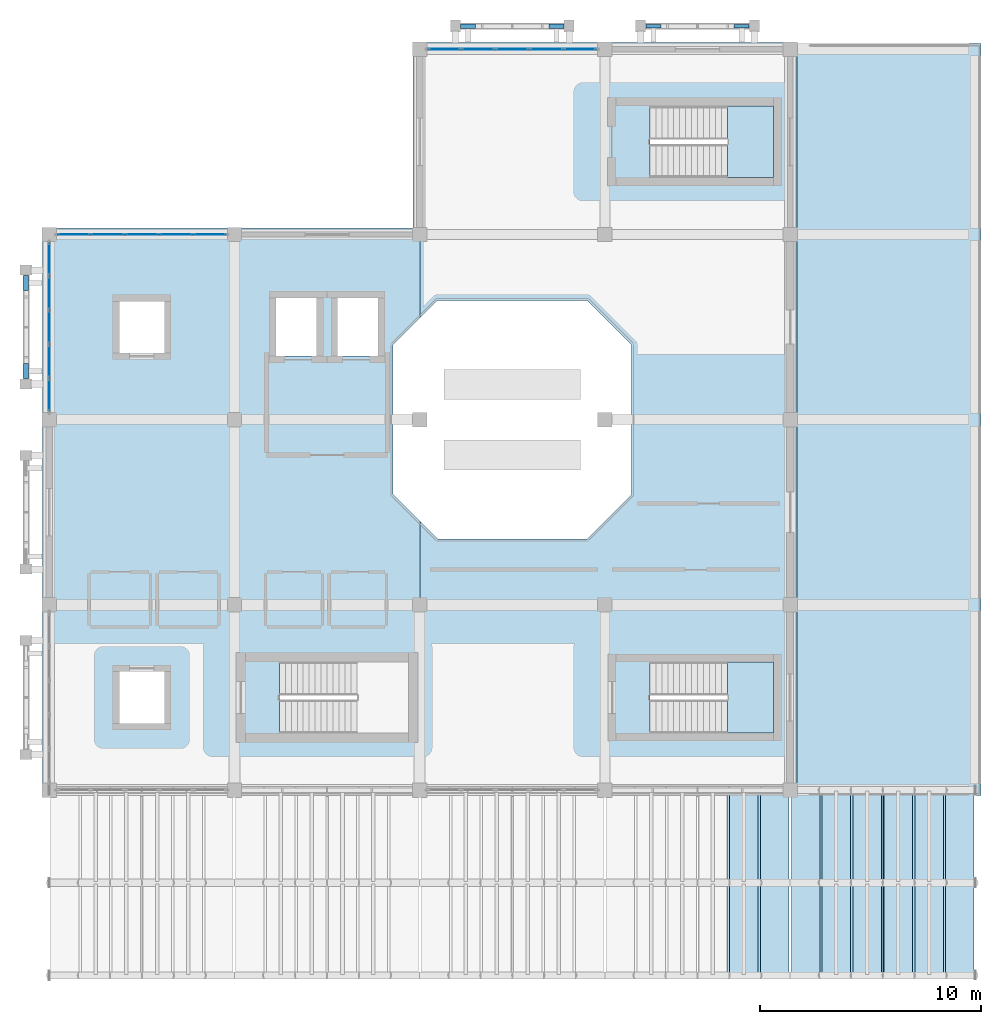
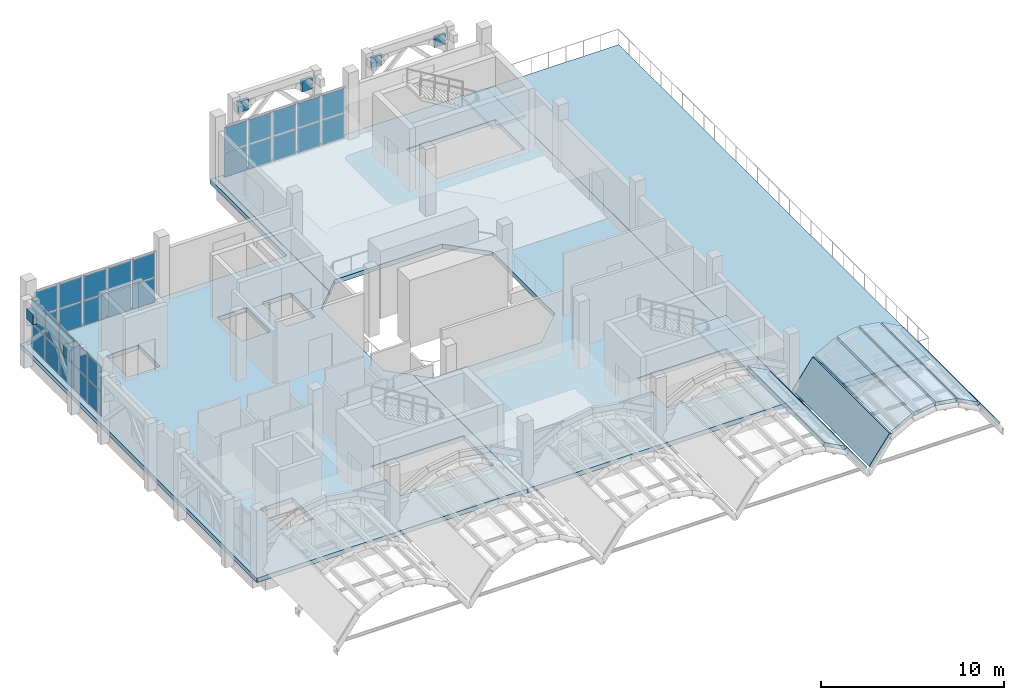
# One storey, part 13 of 22: 36 plates, 13 slabs, 5 elements without a shape of their own.
"""IFC4 building model written with IfcOpenShell, lengths in metres."""

from ifc_helpers import new_model, si_unit, direction, frame, origin, origin_2d, place, context, subcontext, project, spatial, polyline, rectangle, outline, extrude, material, layer, layer_set, type_object, element, aggregate, save


model = new_model("IFC4")

# Units and contexts
model_context = context("Model", 3, precision=1e-05, world=origin(), true_north=direction((0.0, 1.0)))
body_context = subcontext(model_context, "Body", "Model", "MODEL_VIEW")
ifc_project = project(units=[si_unit("LENGTHUNIT", "METRE"), si_unit("AREAUNIT", "SQUARE_METRE"), si_unit("VOLUMEUNIT", "CUBIC_METRE"), si_unit("PLANEANGLEUNIT", "RADIAN"), si_unit("MASSUNIT", "GRAM", prefix="KILO")], contexts=[model_context])

# Site, building, storey
site_placement = place(None, origin())
site = spatial("IfcSite", under=ifc_project, at=site_placement, CompositionType="ELEMENT")
building_placement = place(site_placement, origin())
building = spatial("IfcBuilding", under=site, at=building_placement, Name="Xazarin Passage Department Store", CompositionType="ELEMENT")
storey_placement = place(building_placement, frame((0.0, 0.0, 27.89990234375)))
storey = spatial("IfcBuildingStorey", under=building, at=storey_placement, Name="L06", CompositionType="ELEMENT", Elevation=27.89990234375)

# Curtain wall, plates
ifc_material_1 = material(Name="Bronze anodised aluminium", Category="aluminium")
ifc_layer_1 = layer(ifc_material_1, 0.199951171875)
ifc_layer_set_1 = layer_set([ifc_layer_1], Name="Bronze anodised aluminium")
curtain_wall_type = type_object("IfcCurtainWallType", Name="ARC-CW-VIT2", PredefinedType="NOTDEFINED", material=ifc_layer_set_1)
curtain_wall_1_placement = place(storey_placement, origin())
curtain_wall_1 = element("IfcCurtainWall", 1, at=curtain_wall_1_placement, inside=storey, type_object=curtain_wall_type, Name="L06 V1 Curtain Wall 087", PredefinedType="NOTDEFINED")
ifc_material_2 = material(Name="Low-E laminated safety glass", Category="glass")
ifc_layer_2 = layer(ifc_material_2, 0.031982421875)
ifc_layer_set_2 = layer_set([ifc_layer_2], Name="Low-E laminated safety glass")
plate_type_1 = type_object("IfcPlateType", Name="ARC-CWP-GLZ32", PredefinedType="CURTAIN_PANEL", material=ifc_layer_set_2)
plate_1_placement = place(storey_placement, frame((1.11865234375, 101.60009765625, 0.0751953125), z_axis=(0.0, 0.0, 1.0), x_axis=(1.0, 0.0, 0.0)))
plate_1 = element("IfcPlate", 2, at=plate_1_placement, type_object=plate_type_1, Name="CW2 panel 1.1", PredefinedType="CURTAIN_PANEL", context=body_context, shape_type="SweptSolid", body=[
    extrude(rectangle(XDim=1.4375, YDim=0.031982421875, at=origin_2d()), origin(), (0.0, 0.0, 1.0), 1.612548828125),
])
plate_2_placement = place(storey_placement, frame((1.11865234375, 101.60009765625, 1.7626953125), z_axis=(0.0, 0.0, 1.0), x_axis=(1.0, 0.0, 0.0)))
plate_2 = element("IfcPlate", 3, at=plate_2_placement, type_object=plate_type_1, Name="CW2 panel 1.2", PredefinedType="CURTAIN_PANEL", context=body_context, shape_type="SweptSolid", body=[
    extrude(rectangle(XDim=1.4375, YDim=0.031982421875, at=origin_2d()), origin(), (0.0, 0.0, 1.0), 1.612548828125),
])
plate_3_placement = place(storey_placement, frame((2.64990234375, 101.60009765625, 0.0751953125), z_axis=(0.0, 0.0, 1.0), x_axis=(1.0, 0.0, 0.0)))
plate_3 = element("IfcPlate", 4, at=plate_3_placement, type_object=plate_type_1, Name="CW2 panel 2.1", PredefinedType="CURTAIN_PANEL", context=body_context, shape_type="SweptSolid", body=[
    extrude(rectangle(XDim=1.47509765625, YDim=0.031982421875, at=origin_2d()), origin(), (0.0, 0.0, 1.0), 1.612548828125),
])
plate_4_placement = place(storey_placement, frame((2.64990234375, 101.60009765625, 1.7626953125), z_axis=(0.0, 0.0, 1.0), x_axis=(1.0, 0.0, 0.0)))
plate_4 = element("IfcPlate", 5, at=plate_4_placement, type_object=plate_type_1, Name="CW2 panel 2.2", PredefinedType="CURTAIN_PANEL", context=body_context, shape_type="SweptSolid", body=[
    extrude(rectangle(XDim=1.47509765625, YDim=0.031982421875, at=origin_2d()), origin(), (0.0, 0.0, 1.0), 1.612548828125),
])
plate_5_placement = place(storey_placement, frame((4.199951171875, 101.60009765625, 0.0751953125), z_axis=(0.0, 0.0, 1.0), x_axis=(1.0, 0.0, 0.0)))
plate_5 = element("IfcPlate", 6, at=plate_5_placement, type_object=plate_type_1, Name="CW2 panel 3.1", PredefinedType="CURTAIN_PANEL", context=body_context, shape_type="SweptSolid", body=[
    extrude(rectangle(XDim=1.47509765625, YDim=0.031982421875, at=origin_2d()), origin(), (0.0, 0.0, 1.0), 1.612548828125),
])
plate_6_placement = place(storey_placement, frame((4.199951171875, 101.60009765625, 1.7626953125), z_axis=(0.0, 0.0, 1.0), x_axis=(1.0, 0.0, 0.0)))
plate_6 = element("IfcPlate", 7, at=plate_6_placement, type_object=plate_type_1, Name="CW2 panel 3.2", PredefinedType="CURTAIN_PANEL", context=body_context, shape_type="SweptSolid", body=[
    extrude(rectangle(XDim=1.47509765625, YDim=0.031982421875, at=origin_2d()), origin(), (0.0, 0.0, 1.0), 1.612548828125),
])
plate_7_placement = place(storey_placement, frame((5.75, 101.60009765625, 0.0751953125), z_axis=(0.0, 0.0, 1.0), x_axis=(1.0, 0.0, 0.0)))
plate_7 = element("IfcPlate", 8, at=plate_7_placement, type_object=plate_type_1, Name="CW2 panel 4.1", PredefinedType="CURTAIN_PANEL", context=body_context, shape_type="SweptSolid", body=[
    extrude(rectangle(XDim=1.47509765625, YDim=0.031982421875, at=origin_2d()), origin(), (0.0, 0.0, 1.0), 1.612548828125),
])
plate_8_placement = place(storey_placement, frame((5.75, 101.60009765625, 1.7626953125), z_axis=(0.0, 0.0, 1.0), x_axis=(1.0, 0.0, 0.0)))
plate_8 = element("IfcPlate", 9, at=plate_8_placement, type_object=plate_type_1, Name="CW2 panel 4.2", PredefinedType="CURTAIN_PANEL", context=body_context, shape_type="SweptSolid", body=[
    extrude(rectangle(XDim=1.47509765625, YDim=0.031982421875, at=origin_2d()), origin(), (0.0, 0.0, 1.0), 1.612548828125),
])
plate_9_placement = place(storey_placement, frame((7.28125, 101.60009765625, 0.0751953125), z_axis=(0.0, 0.0, 1.0), x_axis=(1.0, 0.0, 0.0)))
plate_9 = element("IfcPlate", 10, at=plate_9_placement, type_object=plate_type_1, Name="CW2 panel 5.1", PredefinedType="CURTAIN_PANEL", context=body_context, shape_type="SweptSolid", body=[
    extrude(rectangle(XDim=1.4375, YDim=0.031982421875, at=origin_2d()), origin(), (0.0, 0.0, 1.0), 1.612548828125),
])
plate_10_placement = place(storey_placement, frame((7.28125, 101.60009765625, 1.7626953125), z_axis=(0.0, 0.0, 1.0), x_axis=(1.0, 0.0, 0.0)))
plate_10 = element("IfcPlate", 11, at=plate_10_placement, type_object=plate_type_1, Name="CW2 panel 5.2", PredefinedType="CURTAIN_PANEL", context=body_context, shape_type="SweptSolid", body=[
    extrude(rectangle(XDim=1.4375, YDim=0.031982421875, at=origin_2d()), origin(), (0.0, 0.0, 1.0), 1.612548828125),
])
aggregate(curtain_wall_1, [plate_1, plate_2, plate_3, plate_4, plate_5, plate_6, plate_7, plate_8, plate_9, plate_10])

curtain_wall_2_placement = place(storey_placement, origin())
curtain_wall_2 = element("IfcCurtainWall", 12, at=curtain_wall_2_placement, inside=storey, type_object=curtain_wall_type, Name="L06 V1 Curtain Wall 088", PredefinedType="NOTDEFINED")
plate_11_placement = place(storey_placement, frame((17.918701171875, 110.0, 0.0751953125), z_axis=(0.0, 0.0, 1.0), x_axis=(1.0, 0.0, 0.0)))
plate_11 = element("IfcPlate", 13, at=plate_11_placement, type_object=plate_type_1, Name="CW2 panel 1.1", PredefinedType="CURTAIN_PANEL", context=body_context, shape_type="SweptSolid", body=[
    extrude(rectangle(XDim=1.4375, YDim=0.031982421875, at=origin_2d()), origin(), (0.0, 0.0, 1.0), 1.612548828125),
])
plate_12_placement = place(storey_placement, frame((17.918701171875, 110.0, 1.7626953125), z_axis=(0.0, 0.0, 1.0), x_axis=(1.0, 0.0, 0.0)))
plate_12 = element("IfcPlate", 14, at=plate_12_placement, type_object=plate_type_1, Name="CW2 panel 1.2", PredefinedType="CURTAIN_PANEL", context=body_context, shape_type="SweptSolid", body=[
    extrude(rectangle(XDim=1.4375, YDim=0.031982421875, at=origin_2d()), origin(), (0.0, 0.0, 1.0), 1.612548828125),
])
plate_13_placement = place(storey_placement, frame((19.449951171875, 110.0, 0.0751953125), z_axis=(0.0, 0.0, 1.0), x_axis=(1.0, 0.0, 0.0)))
plate_13 = element("IfcPlate", 15, at=plate_13_placement, type_object=plate_type_1, Name="CW2 panel 2.1", PredefinedType="CURTAIN_PANEL", context=body_context, shape_type="SweptSolid", body=[
    extrude(rectangle(XDim=1.47509765625, YDim=0.031982421875, at=origin_2d()), origin(), (0.0, 0.0, 1.0), 1.612548828125),
])
plate_14_placement = place(storey_placement, frame((19.449951171875, 110.0, 1.7626953125), z_axis=(0.0, 0.0, 1.0), x_axis=(1.0, 0.0, 0.0)))
plate_14 = element("IfcPlate", 16, at=plate_14_placement, type_object=plate_type_1, Name="CW2 panel 2.2", PredefinedType="CURTAIN_PANEL", context=body_context, shape_type="SweptSolid", body=[
    extrude(rectangle(XDim=1.47509765625, YDim=0.031982421875, at=origin_2d()), origin(), (0.0, 0.0, 1.0), 1.612548828125),
])
plate_15_placement = place(storey_placement, frame((21.0, 110.0, 0.0751953125), z_axis=(0.0, 0.0, 1.0), x_axis=(1.0, 0.0, 0.0)))
plate_15 = element("IfcPlate", 17, at=plate_15_placement, type_object=plate_type_1, Name="CW2 panel 3.1", PredefinedType="CURTAIN_PANEL", context=body_context, shape_type="SweptSolid", body=[
    extrude(rectangle(XDim=1.47509765625, YDim=0.031982421875, at=origin_2d()), origin(), (0.0, 0.0, 1.0), 1.612548828125),
])
plate_16_placement = place(storey_placement, frame((21.0, 110.0, 1.7626953125), z_axis=(0.0, 0.0, 1.0), x_axis=(1.0, 0.0, 0.0)))
plate_16 = element("IfcPlate", 18, at=plate_16_placement, type_object=plate_type_1, Name="CW2 panel 3.2", PredefinedType="CURTAIN_PANEL", context=body_context, shape_type="SweptSolid", body=[
    extrude(rectangle(XDim=1.47509765625, YDim=0.031982421875, at=origin_2d()), origin(), (0.0, 0.0, 1.0), 1.612548828125),
])
plate_17_placement = place(storey_placement, frame((22.550048828125, 110.0, 0.0751953125), z_axis=(0.0, 0.0, 1.0), x_axis=(1.0, 0.0, 0.0)))
plate_17 = element("IfcPlate", 19, at=plate_17_placement, type_object=plate_type_1, Name="CW2 panel 4.1", PredefinedType="CURTAIN_PANEL", context=body_context, shape_type="SweptSolid", body=[
    extrude(rectangle(XDim=1.47509765625, YDim=0.031982421875, at=origin_2d()), origin(), (0.0, 0.0, 1.0), 1.612548828125),
])
plate_18_placement = place(storey_placement, frame((22.550048828125, 110.0, 1.7626953125), z_axis=(0.0, 0.0, 1.0), x_axis=(1.0, 0.0, 0.0)))
plate_18 = element("IfcPlate", 20, at=plate_18_placement, type_object=plate_type_1, Name="CW2 panel 4.2", PredefinedType="CURTAIN_PANEL", context=body_context, shape_type="SweptSolid", body=[
    extrude(rectangle(XDim=1.47509765625, YDim=0.031982421875, at=origin_2d()), origin(), (0.0, 0.0, 1.0), 1.612548828125),
])
plate_19_placement = place(storey_placement, frame((24.081298828125, 110.0, 0.0751953125), z_axis=(0.0, 0.0, 1.0), x_axis=(1.0, 0.0, 0.0)))
plate_19 = element("IfcPlate", 21, at=plate_19_placement, type_object=plate_type_1, Name="CW2 panel 5.1", PredefinedType="CURTAIN_PANEL", context=body_context, shape_type="SweptSolid", body=[
    extrude(rectangle(XDim=1.4375, YDim=0.031982421875, at=origin_2d()), origin(), (0.0, 0.0, 1.0), 1.612548828125),
])
plate_20_placement = place(storey_placement, frame((24.081298828125, 110.0, 1.7626953125), z_axis=(0.0, 0.0, 1.0), x_axis=(1.0, 0.0, 0.0)))
plate_20 = element("IfcPlate", 22, at=plate_20_placement, type_object=plate_type_1, Name="CW2 panel 5.2", PredefinedType="CURTAIN_PANEL", context=body_context, shape_type="SweptSolid", body=[
    extrude(rectangle(XDim=1.4375, YDim=0.031982421875, at=origin_2d()), origin(), (0.0, 0.0, 1.0), 1.612548828125),
])
aggregate(curtain_wall_2, [plate_11, plate_12, plate_13, plate_14, plate_15, plate_16, plate_17, plate_18, plate_19, plate_20])

curtain_wall_3_placement = place(storey_placement, origin())
curtain_wall_3 = element("IfcCurtainWall", 23, at=curtain_wall_3_placement, inside=storey, type_object=curtain_wall_type, Name="L06 V1 Curtain Wall 090", PredefinedType="NOTDEFINED")
plate_21_placement = place(storey_placement, frame((0.0, 94.31884765625, 0.0751953125), z_axis=(0.0, 0.0, 1.0), x_axis=(0.0, 1.0, 0.0)))
plate_21 = element("IfcPlate", 24, at=plate_21_placement, type_object=plate_type_1, Name="CW2 panel 1.1", PredefinedType="CURTAIN_PANEL", context=body_context, shape_type="SweptSolid", body=[
    extrude(rectangle(XDim=1.4375, YDim=0.031982421875, at=origin_2d()), origin(), (0.0, 0.0, 1.0), 1.612548828125),
])
plate_22_placement = place(storey_placement, frame((0.0, 94.31884765625, 1.7626953125), z_axis=(0.0, 0.0, 1.0), x_axis=(0.0, 1.0, 0.0)))
plate_22 = element("IfcPlate", 25, at=plate_22_placement, type_object=plate_type_1, Name="CW2 panel 1.2", PredefinedType="CURTAIN_PANEL", context=body_context, shape_type="SweptSolid", body=[
    extrude(rectangle(XDim=1.4375, YDim=0.031982421875, at=origin_2d()), origin(), (0.0, 0.0, 1.0), 1.612548828125),
])
plate_23_placement = place(storey_placement, frame((0.0, 95.85009765625, 0.0751953125), z_axis=(0.0, 0.0, 1.0), x_axis=(0.0, 1.0, 0.0)))
plate_23 = element("IfcPlate", 26, at=plate_23_placement, type_object=plate_type_1, Name="CW2 panel 2.1", PredefinedType="CURTAIN_PANEL", context=body_context, shape_type="SweptSolid", body=[
    extrude(rectangle(XDim=1.47509765625, YDim=0.031982421875, at=origin_2d()), origin(), (0.0, 0.0, 1.0), 1.612548828125),
])
plate_24_placement = place(storey_placement, frame((0.0, 95.85009765625, 1.7626953125), z_axis=(0.0, 0.0, 1.0), x_axis=(0.0, 1.0, 0.0)))
plate_24 = element("IfcPlate", 27, at=plate_24_placement, type_object=plate_type_1, Name="CW2 panel 2.2", PredefinedType="CURTAIN_PANEL", context=body_context, shape_type="SweptSolid", body=[
    extrude(rectangle(XDim=1.47509765625, YDim=0.031982421875, at=origin_2d()), origin(), (0.0, 0.0, 1.0), 1.612548828125),
])
plate_25_placement = place(storey_placement, frame((0.0, 97.39990234375, 0.0751953125), z_axis=(0.0, 0.0, 1.0), x_axis=(0.0, 1.0, 0.0)))
plate_25 = element("IfcPlate", 28, at=plate_25_placement, type_object=plate_type_1, Name="CW2 panel 3.1", PredefinedType="CURTAIN_PANEL", context=body_context, shape_type="SweptSolid", body=[
    extrude(rectangle(XDim=1.47509765625, YDim=0.031982421875, at=origin_2d()), origin(), (0.0, 0.0, 1.0), 1.612548828125),
])
plate_26_placement = place(storey_placement, frame((0.0, 97.39990234375, 1.7626953125), z_axis=(0.0, 0.0, 1.0), x_axis=(0.0, 1.0, 0.0)))
plate_26 = element("IfcPlate", 29, at=plate_26_placement, type_object=plate_type_1, Name="CW2 panel 3.2", PredefinedType="CURTAIN_PANEL", context=body_context, shape_type="SweptSolid", body=[
    extrude(rectangle(XDim=1.47509765625, YDim=0.031982421875, at=origin_2d()), origin(), (0.0, 0.0, 1.0), 1.612548828125),
])
plate_27_placement = place(storey_placement, frame((0.0, 98.949951171875, 0.0751953125), z_axis=(0.0, 0.0, 1.0), x_axis=(0.0, 1.0, 0.0)))
plate_27 = element("IfcPlate", 30, at=plate_27_placement, type_object=plate_type_1, Name="CW2 panel 4.1", PredefinedType="CURTAIN_PANEL", context=body_context, shape_type="SweptSolid", body=[
    extrude(rectangle(XDim=1.47509765625, YDim=0.031982421875, at=origin_2d()), origin(), (0.0, 0.0, 1.0), 1.612548828125),
])
plate_28_placement = place(storey_placement, frame((0.0, 98.949951171875, 1.7626953125), z_axis=(0.0, 0.0, 1.0), x_axis=(0.0, 1.0, 0.0)))
plate_28 = element("IfcPlate", 31, at=plate_28_placement, type_object=plate_type_1, Name="CW2 panel 4.2", PredefinedType="CURTAIN_PANEL", context=body_context, shape_type="SweptSolid", body=[
    extrude(rectangle(XDim=1.47509765625, YDim=0.031982421875, at=origin_2d()), origin(), (0.0, 0.0, 1.0), 1.612548828125),
])
plate_29_placement = place(storey_placement, frame((0.0, 100.481201171875, 0.0751953125), z_axis=(0.0, 0.0, 1.0), x_axis=(0.0, 1.0, 0.0)))
plate_29 = element("IfcPlate", 32, at=plate_29_placement, type_object=plate_type_1, Name="CW2 panel 5.1", PredefinedType="CURTAIN_PANEL", context=body_context, shape_type="SweptSolid", body=[
    extrude(rectangle(XDim=1.4375, YDim=0.031982421875, at=origin_2d()), origin(), (0.0, 0.0, 1.0), 1.612548828125),
])
plate_30_placement = place(storey_placement, frame((0.0, 100.481201171875, 1.7626953125), z_axis=(0.0, 0.0, 1.0), x_axis=(0.0, 1.0, 0.0)))
plate_30 = element("IfcPlate", 33, at=plate_30_placement, type_object=plate_type_1, Name="CW2 panel 5.2", PredefinedType="CURTAIN_PANEL", context=body_context, shape_type="SweptSolid", body=[
    extrude(rectangle(XDim=1.4375, YDim=0.031982421875, at=origin_2d()), origin(), (0.0, 0.0, 1.0), 1.612548828125),
])
aggregate(curtain_wall_3, [plate_21, plate_22, plate_23, plate_24, plate_25, plate_26, plate_27, plate_28, plate_29, plate_30])

# Plates
ifc_material_3 = material(Name="Precast concrete C40/50", Category="concrete")
ifc_layer_3 = layer(ifc_material_3, 0.159912109375)
ifc_layer_set_3 = layer_set([ifc_layer_3], Name="Precast concrete C40/50")
plate_type_2 = type_object("IfcPlateType", Name="ARC-PLT-SCR-09", PredefinedType="USERDEFINED", material=ifc_layer_set_3)
for number, where, z_axis, x_axis, name in (
    (34, (27.39990234375, 111.050048828125, 3.26025390625), (0.0, 0.0, 1.0), (1.0, 0.0, 0.0), "L06 V1 Arch Spandrel Tympanum 0029"),
    (35, (31.39990234375, 111.050048828125, 3.26025390625), (0.0, 0.0, 1.0), (1.0, 0.0, 0.0), "L06 V1 Arch Spandrel Tympanum 0030"),
):
    element("IfcPlate", number, at=place(storey_placement, frame(where, z_axis=z_axis, x_axis=x_axis)), inside=storey, type_object=plate_type_2, Name=name, ObjectType="SCREEN PANEL", PredefinedType="USERDEFINED", context=body_context, shape_type="SweptSolid", body=[
        extrude(rectangle(XDim=0.679931640625, YDim=0.159912109375, at=origin_2d()), origin(), (0.0, 0.0, 1.0), 0.719970703125),
    ])
ifc_layer_4 = layer(ifc_material_3, 0.199951171875)
ifc_layer_set_4 = layer_set([ifc_layer_4], Name="Precast concrete C40/50")
plate_type_3 = type_object("IfcPlateType", Name="ARC-PLT-SCR-13", PredefinedType="USERDEFINED", material=ifc_layer_set_4)
for number, where, z_axis, x_axis, name in (
    (36, (19.0, 111.050048828125, 3.26025390625), (0.0, 0.0, 1.0), (1.0, 0.0, 0.0), "L06 V1 Arch Spandrel Tympanum 0013"),
    (37, (23.0, 111.050048828125, 3.26025390625), (0.0, 0.0, 1.0), (1.0, 0.0, 0.0), "L06 V1 Arch Spandrel Tympanum 0014"),
):
    element("IfcPlate", number, at=place(storey_placement, frame(where, z_axis=z_axis, x_axis=x_axis)), inside=storey, type_object=plate_type_3, Name=name, ObjectType="SCREEN PANEL", PredefinedType="USERDEFINED", context=body_context, shape_type="SweptSolid", body=[
        extrude(rectangle(XDim=0.679931640625, YDim=0.199951171875, at=origin_2d()), origin(), (0.0, 0.0, 1.0), 0.719970703125),
    ])
ifc_layer_5 = layer(ifc_material_3, 0.239990234375)
ifc_layer_set_5 = layer_set([ifc_layer_5], Name="Precast concrete C40/50")
plate_type_4 = type_object("IfcPlateType", Name="ARC-PLT-SCR-17", PredefinedType="USERDEFINED", material=ifc_layer_set_5)
for number, where, z_axis, x_axis, name in (
    (38, (-1.050048828125, 95.39990234375, 3.26025390625), (0.0, 0.0, 1.0), (0.0, 1.0, 0.0), "L06 V1 Arch Spandrel Tympanum 0137"),
    (39, (-1.050048828125, 99.39990234375, 3.26025390625), (0.0, 0.0, 1.0), (0.0, 1.0, 0.0), "L06 V1 Arch Spandrel Tympanum 0138"),
):
    element("IfcPlate", number, at=place(storey_placement, frame(where, z_axis=z_axis, x_axis=x_axis)), inside=storey, type_object=plate_type_4, Name=name, ObjectType="SCREEN PANEL", PredefinedType="USERDEFINED", context=body_context, shape_type="SweptSolid", body=[
        extrude(rectangle(XDim=0.679931640625, YDim=0.239990234375, at=origin_2d()), origin(), (0.0, 0.0, 1.0), 0.719970703125),
    ])

# Slabs
ifc_material_4 = material(Name="Concrete C35/45", Category="concrete")
ifc_layer_6 = layer(ifc_material_4, 0.300048828125)
ifc_layer_set_6 = layer_set([ifc_layer_6], Name="Concrete C35/45")
slab_type_1 = type_object("IfcSlabType", Name="STR-SLB-FLR300", PredefinedType="FLOOR", material=ifc_layer_set_6)
slab_1_placement = place(storey_placement, frame((0.0, 0.0, -0.2998046875)))
element("IfcSlab", 40, at=slab_1_placement, inside=storey, type_object=slab_type_1, Name="L06 V1 Suspended Floor Slab Bay 1", PredefinedType="FLOOR", context=body_context, shape_type="SweptSolid", body=[
    extrude(outline(polyline([(16.7900390625, 76.10009765625), (16.7900390625, 88.610107421875), (15.60009765625, 89.800048828125), (15.60009765625, 96.60009765625), (16.7900390625, 97.7900390625), (16.7900390625, 110.300048828125), (16.5, 110.300048828125), (16.5, 101.89990234375), (-0.300048828125, 101.89990234375), (-0.300048828125, 76.10009765625), (16.7900390625, 76.10009765625)]), holes=[polyline([(16.300048828125, 82.219970703125), (16.300048828125, 78.97998046875), (10.451904296875, 78.97998046875), (10.451904296875, 82.219970703125), (16.300048828125, 82.219970703125)]), polyline([(13.080078125, 98.719970703125), (14.919921875, 98.719970703125), (14.919921875, 96.080078125), (13.080078125, 96.080078125), (13.080078125, 98.719970703125)]), polyline([(10.280029296875, 98.719970703125), (12.1201171875, 98.719970703125), (12.1201171875, 96.080078125), (10.280029296875, 96.080078125), (10.280029296875, 98.719970703125)]), polyline([(3.179931640625, 81.77001953125), (5.219970703125, 81.77001953125), (5.219970703125, 79.429931640625), (3.179931640625, 79.429931640625), (3.179931640625, 81.77001953125)]), polyline([(3.179931640625, 98.570068359375), (5.219970703125, 98.570068359375), (5.219970703125, 96.22998046875), (3.179931640625, 96.22998046875), (3.179931640625, 98.570068359375)])]), origin(), (0.0, 0.0, 1.0), 0.2998046875),
])
slab_2_placement = place(storey_placement, frame((0.0, 0.0, -0.2998046875)))
element("IfcSlab", 41, at=slab_2_placement, inside=storey, type_object=slab_type_1, Name="L06 V1 Suspended Floor Slab Bay 2", PredefinedType="FLOOR", context=body_context, shape_type="SweptSolid", body=[
    extrude(outline(polyline([(33.89990234375, 76.10009765625), (33.89990234375, 110.300048828125), (16.81005859375, 110.300048828125), (16.81005859375, 97.81005859375), (17.60009765625, 98.60009765625), (24.39990234375, 98.60009765625), (26.39990234375, 96.60009765625), (26.39990234375, 89.800048828125), (24.39990234375, 87.800048828125), (17.60009765625, 87.800048828125), (16.81005859375, 88.590087890625), (16.81005859375, 76.10009765625), (33.89990234375, 76.10009765625)]), holes=[polyline([(32.85009765625, 82.219970703125), (32.85009765625, 78.97998046875), (27.251953125, 78.97998046875), (27.251953125, 82.219970703125), (32.85009765625, 82.219970703125)]), polyline([(32.85009765625, 107.419921875), (32.85009765625, 104.179931640625), (27.251953125, 104.179931640625), (27.251953125, 107.419921875), (32.85009765625, 107.419921875)])]), origin(), (0.0, 0.0, 1.0), 0.2998046875),
])

# Stair, slab
stair_type = type_object("IfcStairType", Name="ARC-ST-TYP", PredefinedType="HALF_TURN_STAIR", material=ifc_material_4)
stair_1_placement = place(storey_placement, origin())
stair_1 = element("IfcStair", 42, at=stair_1_placement, inside=storey, type_object=stair_type, Name="L06 Exit Stair ST2", PredefinedType="HALF_TURN_STAIR")
ifc_layer_7 = layer(ifc_material_4, 0.199951171875)
ifc_layer_set_7 = layer_set([ifc_layer_7], Name="Concrete C35/45")
slab_type_2 = type_object("IfcSlabType", Name="STR-SLB-LND200", PredefinedType="LANDING", material=ifc_layer_set_7)
slab_3_placement = place(storey_placement, frame((0.0, 0.0, 2.050048828125)))
slab_3 = element("IfcSlab", 43, at=slab_3_placement, type_object=slab_type_2, Name="ST2 landing 1", PredefinedType="LANDING", context=body_context, shape_type="SweptSolid", body=[
    extrude(outline(polyline([(30.75, 104.179931640625), (32.85009765625, 104.179931640625), (32.85009765625, 107.419921875), (30.75, 107.419921875), (30.75, 104.179931640625)])), origin(), (0.0, 0.0, 1.0), 0.199951171875),
])
aggregate(stair_1, [slab_3])

stair_2_placement = place(storey_placement, origin())
stair_2 = element("IfcStair", 44, at=stair_2_placement, inside=storey, type_object=stair_type, Name="L06 Exit Stair ST3", PredefinedType="HALF_TURN_STAIR")
slab_4_placement = place(storey_placement, frame((0.0, 0.0, 2.050048828125)))
slab_4 = element("IfcSlab", 45, at=slab_4_placement, type_object=slab_type_2, Name="ST3 landing 1", PredefinedType="LANDING", context=body_context, shape_type="SweptSolid", body=[
    extrude(outline(polyline([(30.75, 78.97998046875), (32.85009765625, 78.97998046875), (32.85009765625, 82.219970703125), (30.75, 82.219970703125), (30.75, 78.97998046875)])), origin(), (0.0, 0.0, 1.0), 0.199951171875),
])
aggregate(stair_2, [slab_4])

# Slabs
ifc_material_5 = material(Name="Concrete C40/50", Category="concrete")
ifc_layer_8 = layer(ifc_material_5, 0.239990234375)
ifc_layer_set_8 = layer_set([ifc_layer_8], Name="Concrete C40/50")
slab_type_3 = type_object("IfcSlabType", Name="STR-SLB-SHL240", PredefinedType="ROOF", material=ifc_layer_set_8)
slab_5_placement = place(storey_placement, frame((30.85595703125, 68.0, 3.06103515625), z_axis=(0.475014610353, 0.0, 0.879977908786), x_axis=(0.879977908786, 0.0, -0.475014610353)))
element("IfcSlab", 46, at=slab_5_placement, inside=storey, type_object=slab_type_3, Name="L06 V1S Curved Barrel Shell Facet 4.5", PredefinedType="ROOF", context=body_context, shape_type="SweptSolid", body=[
    extrude(outline(polyline([(0.0, 0.0), (1.4637707658788324, 0.0), (1.4637707658788324, 8.39990234375), (0.0, 8.39990234375), (0.0, 0.0)])), origin(), (0.0, 0.0, -1.0), 0.239990234375),
])
slab_6_placement = place(storey_placement, frame((32.256103515625, 68.0, 2.2587890625), z_axis=(0.808112726448, 0.0, 0.58902786127), x_axis=(0.58902786127, 0.0, -0.808112726448)))
element("IfcSlab", 47, at=slab_6_placement, inside=storey, type_object=slab_type_3, Name="L06 V1S Curved Barrel Shell Facet 4.6", PredefinedType="ROOF", context=body_context, shape_type="SweptSolid", body=[
    extrude(outline(polyline([(0.0, 0.0), (2.186385197633186, 0.0), (2.186385197633186, 8.39990234375), (0.0, 8.39990234375), (0.0, 0.0)])), origin(), (0.0, 0.0, -1.0), 0.239990234375),
])
slab_7_placement = place(storey_placement, frame((33.656005859375, 68.0, 0.491943359375), z_axis=(-0.808059574465, 0.0, 0.589100775857), x_axis=(0.589100775857, 0.0, 0.808059574465)))
element("IfcSlab", 48, at=slab_7_placement, inside=storey, type_object=slab_type_3, Name="L06 V1S Curved Barrel Shell Facet 5.1", PredefinedType="ROOF", context=body_context, shape_type="SweptSolid", body=[
    extrude(outline(polyline([(0.0, 0.0), (2.1865290121643777, 0.0), (2.1865290121643777, 8.399902343750002), (0.0, 8.399902343750002), (0.0, 0.0)])), origin(), (0.0, 0.0, -1.0), 0.239990234375),
])
slab_8_placement = place(storey_placement, frame((35.055908203125, 68.0, 2.36572265625), z_axis=(-0.475014610353, 0.0, 0.879977908786), x_axis=(0.879977908786, 0.0, 0.475014610353)))
element("IfcSlab", 49, at=slab_8_placement, inside=storey, type_object=slab_type_3, Name="L06 V1S Curved Barrel Shell Facet 5.2", PredefinedType="ROOF", context=body_context, shape_type="SweptSolid", body=[
    extrude(outline(polyline([(0.0, 0.0), (1.4637707658788324, 0.0), (1.4637707658788324, 8.39990234375), (0.0, 8.39990234375), (0.0, 0.0)])), origin(), (0.0, 0.0, -1.0), 0.239990234375),
])
slab_9_placement = place(storey_placement, frame((36.4560546875, 68.0, 3.100341796875), z_axis=(-0.157807972988, 0.0, 0.987469819114), x_axis=(0.987469819114, 0.0, 0.157807972988)))
element("IfcSlab", 50, at=slab_9_placement, inside=storey, type_object=slab_type_3, Name="L06 V1S Curved Barrel Shell Facet 5.3", PredefinedType="ROOF", context=body_context, shape_type="SweptSolid", body=[
    extrude(outline(polyline([(0.0, 0.0), (1.3041834514297501, 0.0), (1.3041834514297501, 8.39990234375), (0.0, 8.39990234375), (0.0, 0.0)])), origin(), (0.0, 0.0, -1.0), 0.239990234375),
])
slab_10_placement = place(storey_placement, frame((37.85595703125, 68.0, 3.30615234375), z_axis=(0.157778807121, 0.0, 0.987474479682), x_axis=(0.987474479682, 0.0, -0.157778807121)))
element("IfcSlab", 51, at=slab_10_placement, inside=storey, type_object=slab_type_3, Name="L06 V1S Curved Barrel Shell Facet 5.4", PredefinedType="ROOF", context=body_context, shape_type="SweptSolid", body=[
    extrude(outline(polyline([(0.0, 0.0), (1.304424533497527, 0.0), (1.304424533497527, 8.39990234375), (0.0, 8.39990234375), (0.0, 0.0)])), origin(), (0.0, 0.0, -1.0), 0.239990234375),
])
slab_11_placement = place(storey_placement, frame((39.256103515625, 68.0, 3.06103515625), z_axis=(0.475084337224, 0.0, 0.879940266452), x_axis=(0.879940266452, 0.0, -0.475084337224)))
element("IfcSlab", 52, at=slab_11_placement, inside=storey, type_object=slab_type_3, Name="L06 V1S Curved Barrel Shell Facet 5.5", PredefinedType="ROOF", context=body_context, shape_type="SweptSolid", body=[
    extrude(outline(polyline([(0.0, 0.0), (1.4635559321168696, 0.0), (1.4635559321168696, 8.39990234375), (0.0, 8.39990234375), (0.0, 0.0)])), origin(), (0.0, 0.0, -1.0), 0.239990234375),
])
slab_12_placement = place(storey_placement, frame((40.656005859375, 68.0, 2.2587890625), z_axis=(0.808059574465, 0.0, 0.589100775857), x_axis=(0.589100775857, 0.0, -0.808059574465)))
element("IfcSlab", 53, at=slab_12_placement, inside=storey, type_object=slab_type_3, Name="L06 V1S Curved Barrel Shell Facet 5.6", PredefinedType="ROOF", context=body_context, shape_type="SweptSolid", body=[
    extrude(outline(polyline([(0.0, 0.0), (2.1865290121643777, 0.0), (2.1865290121643777, 8.399902343750002), (0.0, 8.399902343750002), (0.0, 0.0)])), origin(), (0.0, 0.0, -1.0), 0.239990234375),
])
ifc_layer_9 = layer(ifc_material_4, 0.340087890625)
ifc_layer_set_9 = layer_set([ifc_layer_9], Name="Concrete C35/45")
slab_type_4 = type_object("IfcSlabType", Name="STR-SLB-TER340", PredefinedType="FLOOR", material=ifc_layer_set_9)
slab_13_placement = place(storey_placement, frame((0.0, 0.0, -0.33984375)))
element("IfcSlab", 54, at=slab_13_placement, inside=storey, type_object=slab_type_4, Name="L06 V1 Planted Roof Terrace Slab", PredefinedType="FLOOR", context=body_context, shape_type="SweptSolid", body=[
    extrude(outline(polyline([(33.905029296875, 110.25), (33.905029296875, 76.14990234375), (42.25, 76.14990234375), (42.25, 110.25), (33.905029296875, 110.25)])), origin(), (0.0, 0.0, 1.0), 0.33984375),
])

save(model, "model.ifc")
